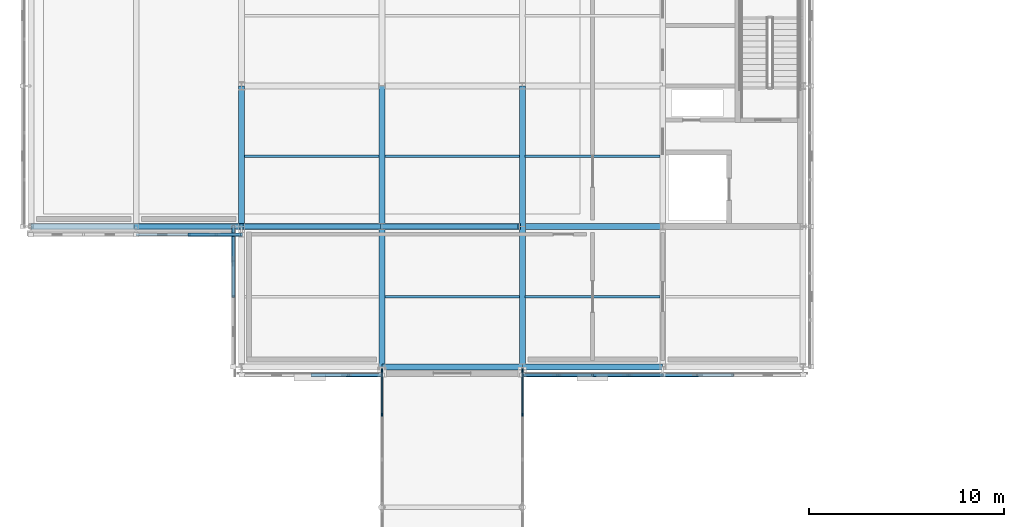
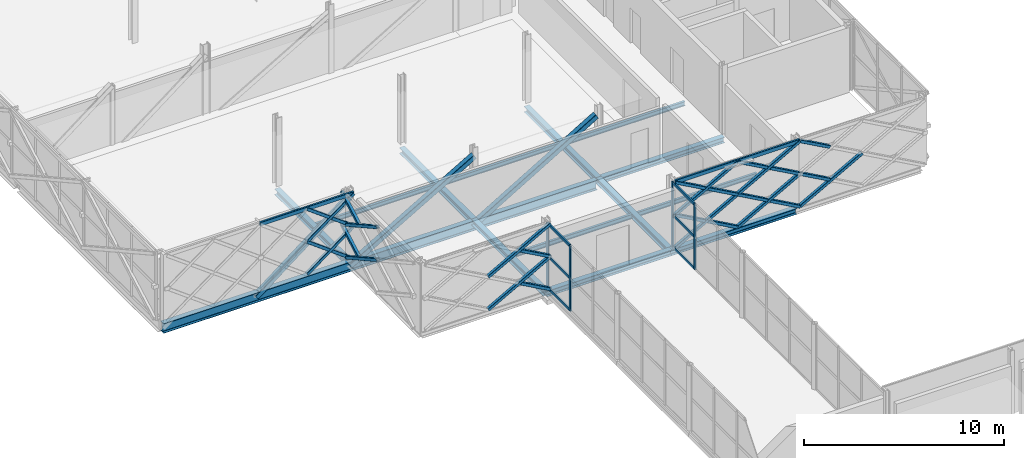
# One storey, part 29 of 126: 44 members, 14 beams, 2 elements without a shape of their own.
"""IFC4 building model written with IfcOpenShell, lengths in metres."""

from ifc_helpers import new_model, si_unit, direction, frame, origin, origin_2d, place, context, subcontext, project, spatial, rectangle, hollow_rectangle, i_section, extrude, material, material_profile, profile_set, type_object, element, aggregate, save


model = new_model("IFC4")

# Units and contexts
model_context = context("Model", 3, precision=1e-05, world=origin(), true_north=direction((0.0, 1.0)))
body_context = subcontext(model_context, "Body", "Model", "MODEL_VIEW")
ifc_project = project(units=[si_unit("LENGTHUNIT", "METRE"), si_unit("AREAUNIT", "SQUARE_METRE"), si_unit("VOLUMEUNIT", "CUBIC_METRE"), si_unit("PLANEANGLEUNIT", "RADIAN"), si_unit("MASSUNIT", "GRAM", prefix="KILO")], contexts=[model_context])

# Site, building, storey
site_placement = place(None, origin())
site = spatial("IfcSite", under=ifc_project, at=site_placement, CompositionType="ELEMENT")
building_placement = place(site_placement, origin())
building = spatial("IfcBuilding", under=site, at=building_placement, Name="Zlatovets Crest Museum", CompositionType="ELEMENT")
storey_placement = place(building_placement, frame((0.0, 0.0, 8.699951171875)))
storey = spatial("IfcBuildingStorey", under=building, at=storey_placement, Name="L02", CompositionType="ELEMENT", Elevation=8.699951171875)

# Beams
ifc_material_1 = material(Name="Structural steel S355J2", Category="steel")
ifc_material_profile_1 = material_profile(ifc_material_1, i_section(OverallWidth=0.300048828125, OverallDepth=0.35009765625, WebThickness=0.010009765625, FlangeThickness=0.017578125, FilletRadius=0.027099609375, at=origin_2d()), Name="HEA 360")
ifc_profile_set_1 = profile_set([ifc_material_profile_1], Name="Structural steel S355J2")
beam_type_1 = type_object("IfcBeamType", Name="Beam_B-03", PredefinedType="BEAM", material=ifc_profile_set_1)
beam_1_placement = place(storey_placement, frame((14.39990234375, 50.39990234375, -0.39501953125), z_axis=(1.0, 0.0, 0.0), x_axis=(0.0, 1.0, 0.0)))
element("IfcBeam", 1, at=beam_1_placement, inside=storey, type_object=beam_type_1, Name="V4 L02 Primary Girder B-03", PredefinedType="BEAM", context=body_context, shape_type="SweptSolid", body=[
    extrude(i_section(OverallWidth=0.300048828125, OverallDepth=0.35009765625, WebThickness=0.010009765625, FlangeThickness=0.017578125, FilletRadius=0.027099609375, at=origin_2d()), origin(), (0.0, 0.0, 1.0), 7.2001953125),
])
for number, where, z_axis, x_axis, name in (
    (2, (21.60009765625, 50.39990234375, -0.39501953125), (1.0, 0.0, 0.0), (0.0, 1.0, 0.0), "V4 L02 Primary Girder B-03"),
    (3, (21.60009765625, 57.60009765625, -0.39501953125), (1.0, 0.0, 0.0), (0.0, 1.0, 0.0), "V4 L02 Primary Girder B-03"),
    (4, (7.199951171875, 57.60009765625, -0.39501953125), (0.0, 1.0, 0.0), (-1.0, 0.0, 0.0), "V4 L02 Grid Beam B-03"),
):
    element("IfcBeam", number, at=place(storey_placement, frame(where, z_axis=z_axis, x_axis=x_axis)), inside=storey, type_object=beam_type_1, Name=name, PredefinedType="BEAM", context=body_context, shape_type="SweptSolid", body=[
        extrude(i_section(OverallWidth=0.300048828125, OverallDepth=0.35009765625, WebThickness=0.010009765625, FlangeThickness=0.017578125, FilletRadius=0.027099609375, at=origin_2d()), origin(), (0.0, 0.0, 1.0), 7.199951171875),
    ])
beam_2_placement = place(storey_placement, frame((14.39990234375, 50.39990234375, -0.39501953125), z_axis=(0.0, 1.0, 0.0), x_axis=(-1.0, 0.0, 0.0)))
element("IfcBeam", 5, at=beam_2_placement, inside=storey, type_object=beam_type_1, Name="V4 L02 Grid Beam B-03", PredefinedType="BEAM", context=body_context, shape_type="SweptSolid", body=[
    extrude(i_section(OverallWidth=0.300048828125, OverallDepth=0.35009765625, WebThickness=0.010009765625, FlangeThickness=0.017578125, FilletRadius=0.027099609375, at=origin_2d()), origin(), (0.0, 0.0, 1.0), 7.2001953125),
])
beam_3_placement = place(storey_placement, frame((14.39990234375, 57.60009765625, -0.39501953125), z_axis=(0.0, 1.0, 0.0), x_axis=(-1.0, 0.0, 0.0)))
element("IfcBeam", 6, at=beam_3_placement, inside=storey, type_object=beam_type_1, Name="V4 L02 Grid Beam B-03", PredefinedType="BEAM", context=body_context, shape_type="SweptSolid", body=[
    extrude(i_section(OverallWidth=0.300048828125, OverallDepth=0.35009765625, WebThickness=0.010009765625, FlangeThickness=0.017578125, FilletRadius=0.027099609375, at=origin_2d()), origin(), (0.0, 0.0, 1.0), 7.199951171875),
])
beam_4_placement = place(storey_placement, frame((21.60009765625, 50.39990234375, -0.39501953125), z_axis=(0.0, 1.0, 0.0), x_axis=(-1.0, 0.0, 0.0)))
element("IfcBeam", 7, at=beam_4_placement, inside=storey, type_object=beam_type_1, Name="V4 L02 Grid Beam B-03", PredefinedType="BEAM", context=body_context, shape_type="SweptSolid", body=[
    extrude(i_section(OverallWidth=0.300048828125, OverallDepth=0.35009765625, WebThickness=0.010009765625, FlangeThickness=0.017578125, FilletRadius=0.027099609375, at=origin_2d()), origin(), (0.0, 0.0, 1.0), 7.2001953125),
])
beam_5_placement = place(storey_placement, frame((21.60009765625, 57.60009765625, -0.39501953125), z_axis=(0.0, 1.0, 0.0), x_axis=(-1.0, 0.0, 0.0)))
element("IfcBeam", 8, at=beam_5_placement, inside=storey, type_object=beam_type_1, Name="V4 L02 Grid Beam B-03", PredefinedType="BEAM", context=body_context, shape_type="SweptSolid", body=[
    extrude(i_section(OverallWidth=0.300048828125, OverallDepth=0.35009765625, WebThickness=0.010009765625, FlangeThickness=0.017578125, FilletRadius=0.027099609375, at=origin_2d()), origin(), (0.0, 0.0, 1.0), 7.199951171875),
])
ifc_material_profile_2 = material_profile(ifc_material_1, i_section(OverallWidth=0.300048828125, OverallDepth=0.590087890625, WebThickness=0.012939453125, FlangeThickness=0.02490234375, FilletRadius=0.027099609375, at=origin_2d()), Name="HEA 600")
ifc_profile_set_2 = profile_set([ifc_material_profile_2], Name="Structural steel S355J2")
beam_type_2 = type_object("IfcBeamType", Name="Beam_B-07", PredefinedType="BEAM", material=ifc_profile_set_2)
beam_6_placement = place(storey_placement, frame((-3.60009765625, 57.60009765625, -0.570068359375), z_axis=(1.0, 0.0, 0.0), x_axis=(0.0, 1.0, 0.0)))
element("IfcBeam", 9, at=beam_6_placement, inside=storey, type_object=beam_type_2, Name="Cantilever Transfer Truss TT-1 L02 Bottom Chord", PredefinedType="BEAM", context=body_context, shape_type="SweptSolid", body=[
    extrude(i_section(OverallWidth=0.300048828125, OverallDepth=0.590087890625, WebThickness=0.012939453125, FlangeThickness=0.02490234375, FilletRadius=0.027099609375, at=origin_2d()), origin(), (0.0, 0.0, 1.0), 25.0400390625),
])
ifc_material_profile_3 = material_profile(ifc_material_1, i_section(OverallWidth=0.135009765625, OverallDepth=0.27001953125, WebThickness=0.006591796875, FlangeThickness=0.01025390625, FilletRadius=0.014892578125, at=origin_2d()), Name="IPE 270")
ifc_profile_set_3 = profile_set([ifc_material_profile_3], Name="Structural steel S355J2")
beam_type_3 = type_object("IfcBeamType", Name="Beam_J-03", PredefinedType="JOIST", material=ifc_profile_set_3)
for number, where, z_axis, x_axis, name in (
    (10, (7.35009765625, 61.199951171875, -0.35498046875), (1.0, 0.0, 0.0), (0.0, 1.0, 0.0), "V4 L02 Composite Joist J-03"),
    (11, (14.550048828125, 54.0, -0.35498046875), (1.0, 0.0, 0.0), (0.0, 1.0, 0.0), "V4 L02 Composite Joist J-03"),
    (12, (14.550048828125, 61.199951171875, -0.35498046875), (1.0, 0.0, 0.0), (0.0, 1.0, 0.0), "V4 L02 Composite Joist J-03"),
    (13, (21.75, 54.0, -0.35498046875), (1.0, 0.0, 0.0), (0.0, 1.0, 0.0), "V4 L02 Composite Joist J-03"),
    (14, (21.75, 61.199951171875, -0.35498046875), (1.0, 0.0, 0.0), (0.0, 1.0, 0.0), "V4 L02 Composite Joist J-03"),
):
    element("IfcBeam", number, at=place(storey_placement, frame(where, z_axis=z_axis, x_axis=x_axis)), inside=storey, type_object=beam_type_3, Name=name, PredefinedType="JOIST", context=body_context, shape_type="SweptSolid", body=[
        extrude(i_section(OverallWidth=0.135009765625, OverallDepth=0.27001953125, WebThickness=0.006591796875, FlangeThickness=0.01025390625, FilletRadius=0.014892578125, at=origin_2d()), origin(), (0.0, 0.0, 1.0), 6.89990234375),
    ])

# Curtain wall, members
ifc_material_2 = material(Name="Bronze-anodised aluminium and low-E triple glass", Category="aluminium")
curtain_wall_type = type_object("IfcCurtainWallType", Name="CW_CW-BR2-L02-S69", PredefinedType="NOTDEFINED", material=ifc_material_2)
curtain_wall_1_placement = place(storey_placement, origin())
curtain_wall_1 = element("IfcCurtainWall", 15, at=curtain_wall_1_placement, inside=storey, type_object=curtain_wall_type, Name="West Hillside Glazed Link Bridge L02 Glazed Bridge Curtain Wall", PredefinedType="NOTDEFINED")
ifc_material_3 = material(Name="Bronze-anodised aluminium EN AW-6060", Category="aluminium")
ifc_material_profile_4 = material_profile(ifc_material_3, rectangle(XDim=0.080078125, YDim=0.159912109375, at=origin_2d()), Name="ALU 80x160")
ifc_profile_set_4 = profile_set([ifc_material_profile_4], Name="Bronze-anodised aluminium EN AW-6060")
member_type_1 = type_object("IfcMemberType", Name="CWMull_M1", PredefinedType="MULLION", material=ifc_profile_set_4)
member_1_placement = place(storey_placement, frame((14.39990234375, 47.949951171875, 0.0), z_axis=(0.0, 0.0, 1.0), x_axis=(-1.0, 0.0, 0.0)))
member_1 = element("IfcMember", 16, at=member_1_placement, type_object=member_type_1, Name="CW-BR2-L02-S69 mullion 3", PredefinedType="MULLION", context=body_context, shape_type="SweptSolid", body=[
    extrude(rectangle(XDim=0.080078125, YDim=0.159912109375, at=origin_2d()), origin(), (0.0, 0.0, 1.0), 3.97998046875),
])
member_2_placement = place(storey_placement, frame((14.39990234375, 50.219970703125, 0.0), z_axis=(0.0, 0.0, 1.0), x_axis=(-1.0, 0.0, 0.0)))
member_2 = element("IfcMember", 17, at=member_2_placement, type_object=member_type_1, Name="CW-BR2-L02-S69 mullion 4", PredefinedType="MULLION", context=body_context, shape_type="SweptSolid", body=[
    extrude(rectangle(XDim=0.080078125, YDim=0.159912109375, at=origin_2d()), origin(), (0.0, 0.0, 1.0), 3.97998046875),
])

curtain_wall_2_placement = place(storey_placement, origin())
curtain_wall_2 = element("IfcCurtainWall", 18, at=curtain_wall_2_placement, inside=storey, type_object=curtain_wall_type, Name="West Hillside Glazed Link Bridge L02 Glazed Bridge Curtain Wall", PredefinedType="NOTDEFINED")
member_3_placement = place(storey_placement, frame((21.60009765625, 47.949951171875, 0.0), z_axis=(0.0, 0.0, 1.0), x_axis=(-1.0, 0.0, 0.0)))
member_3 = element("IfcMember", 19, at=member_3_placement, type_object=member_type_1, Name="CW-BR2-L02-S69 mullion 3", PredefinedType="MULLION", context=body_context, shape_type="SweptSolid", body=[
    extrude(rectangle(XDim=0.080078125, YDim=0.159912109375, at=origin_2d()), origin(), (0.0, 0.0, 1.0), 3.97998046875),
])
member_4_placement = place(storey_placement, frame((21.60009765625, 50.219970703125, 0.0), z_axis=(0.0, 0.0, 1.0), x_axis=(-1.0, 0.0, 0.0)))
member_4 = element("IfcMember", 20, at=member_4_placement, type_object=member_type_1, Name="CW-BR2-L02-S69 mullion 4", PredefinedType="MULLION", context=body_context, shape_type="SweptSolid", body=[
    extrude(rectangle(XDim=0.080078125, YDim=0.159912109375, at=origin_2d()), origin(), (0.0, 0.0, 1.0), 3.97998046875),
])

# Member
ifc_material_profile_5 = material_profile(ifc_material_3, rectangle(XDim=0.080078125, YDim=0.159912109375, at=origin_2d()), Name="ALU 80x160")
ifc_profile_set_5 = profile_set([ifc_material_profile_5], Name="Bronze-anodised aluminium EN AW-6060")
member_type_2 = type_object("IfcMemberType", Name="CWTrans_T1", PredefinedType="USERDEFINED", material=ifc_profile_set_5)
member_5_placement = place(storey_placement, frame((14.39990234375, 47.97998046875, 0.030029296875), z_axis=(0.0, 1.0, 0.0), x_axis=(-1.0, 0.0, 0.0)))
member_5 = element("IfcMember", 21, at=member_5_placement, type_object=member_type_2, Name="CW-BR2-L02-S69 transom 3.1", ObjectType="TRANSOM", PredefinedType="USERDEFINED", context=body_context, shape_type="SweptSolid", body=[
    extrude(rectangle(XDim=0.080078125, YDim=0.159912109375, at=origin_2d()), origin(), (0.0, 0.0, 1.0), 2.2099609375),
])

member_6_placement = place(storey_placement, frame((14.39990234375, 47.97998046875, 1.989990234375), z_axis=(0.0, 1.0, 0.0), x_axis=(-1.0, 0.0, 0.0)))
member_6 = element("IfcMember", 22, at=member_6_placement, type_object=member_type_2, Name="CW-BR2-L02-S69 transom 3.2", ObjectType="TRANSOM", PredefinedType="USERDEFINED", context=body_context, shape_type="SweptSolid", body=[
    extrude(rectangle(XDim=0.080078125, YDim=0.159912109375, at=origin_2d()), origin(), (0.0, 0.0, 1.0), 2.2099609375),
])

member_7_placement = place(storey_placement, frame((14.39990234375, 47.97998046875, 3.949951171875), z_axis=(0.0, 1.0, 0.0), x_axis=(-1.0, 0.0, 0.0)))
member_7 = element("IfcMember", 23, at=member_7_placement, type_object=member_type_2, Name="CW-BR2-L02-S69 transom 3.3", ObjectType="TRANSOM", PredefinedType="USERDEFINED", context=body_context, shape_type="SweptSolid", body=[
    extrude(rectangle(XDim=0.080078125, YDim=0.159912109375, at=origin_2d()), origin(), (0.0, 0.0, 1.0), 2.2099609375),
])

aggregate(curtain_wall_1, [member_1, member_2, member_5, member_6, member_7])

member_8_placement = place(storey_placement, frame((21.60009765625, 47.97998046875, 0.030029296875), z_axis=(0.0, 1.0, 0.0), x_axis=(-1.0, 0.0, 0.0)))
member_8 = element("IfcMember", 24, at=member_8_placement, type_object=member_type_2, Name="CW-BR2-L02-S69 transom 3.1", ObjectType="TRANSOM", PredefinedType="USERDEFINED", context=body_context, shape_type="SweptSolid", body=[
    extrude(rectangle(XDim=0.080078125, YDim=0.159912109375, at=origin_2d()), origin(), (0.0, 0.0, 1.0), 2.2099609375),
])

member_9_placement = place(storey_placement, frame((21.60009765625, 47.97998046875, 1.989990234375), z_axis=(0.0, 1.0, 0.0), x_axis=(-1.0, 0.0, 0.0)))
member_9 = element("IfcMember", 25, at=member_9_placement, type_object=member_type_2, Name="CW-BR2-L02-S69 transom 3.2", ObjectType="TRANSOM", PredefinedType="USERDEFINED", context=body_context, shape_type="SweptSolid", body=[
    extrude(rectangle(XDim=0.080078125, YDim=0.159912109375, at=origin_2d()), origin(), (0.0, 0.0, 1.0), 2.2099609375),
])

member_10_placement = place(storey_placement, frame((21.60009765625, 47.97998046875, 3.949951171875), z_axis=(0.0, 1.0, 0.0), x_axis=(-1.0, 0.0, 0.0)))
member_10 = element("IfcMember", 26, at=member_10_placement, type_object=member_type_2, Name="CW-BR2-L02-S69 transom 3.3", ObjectType="TRANSOM", PredefinedType="USERDEFINED", context=body_context, shape_type="SweptSolid", body=[
    extrude(rectangle(XDim=0.080078125, YDim=0.159912109375, at=origin_2d()), origin(), (0.0, 0.0, 1.0), 2.2099609375),
])

aggregate(curtain_wall_2, [member_3, member_4, member_8, member_9, member_10])

# Members
ifc_material_4 = material(Name="Weathering bronze-steel S355J2W", Category="steel")
ifc_material_profile_6 = material_profile(ifc_material_4, hollow_rectangle(XDim=0.179931640625, YDim=0.179931640625, WallThickness=0.010009765625, InnerFilletRadius=0.010009765625, OuterFilletRadius=0.02001953125, at=origin_2d()), Name="SHS 180x180x10.0")
ifc_profile_set_6 = profile_set([ifc_material_profile_6], Name="Weathering bronze-steel S355J2W")
member_type_3 = type_object("IfcMemberType", Name="Lattice_XL-01", PredefinedType="BRACE", material=ifc_profile_set_6)
member_11_placement = place(storey_placement, frame((10.800048828125, 49.97998046875, 0.10009765625), z_axis=(0.874148886685, 0.0, 0.485658031857), x_axis=(0.0, 1.0, 0.0)))
element("IfcMember", 27, at=member_11_placement, inside=storey, type_object=member_type_3, Name="Continuous Bronze Lattice Diagonal", PredefinedType="BRACE", context=body_context, shape_type="SweptSolid", body=[
    extrude(hollow_rectangle(XDim=0.179931640625, YDim=0.179931640625, WallThickness=0.010009765625, InnerFilletRadius=0.010009765625, OuterFilletRadius=0.02001953125, at=origin_2d()), origin(), (0.0, 0.0, 1.0), 4.1181640625),
])
member_12_placement = place(storey_placement, frame((12.68310546875, 49.97998046875, 1.053955078125), z_axis=(0.874139684676, 0.0, -0.48567459443), x_axis=(0.0, 1.0, 0.0)))
element("IfcMember", 28, at=member_12_placement, inside=storey, type_object=member_type_3, Name="Split Crossing Bronze Lattice Diagonal Lower", PredefinedType="BRACE", context=body_context, shape_type="SweptSolid", body=[
    extrude(hollow_rectangle(XDim=0.179931640625, YDim=0.179931640625, WallThickness=0.010009765625, InnerFilletRadius=0.010009765625, OuterFilletRadius=0.02001953125, at=origin_2d()), origin(), (0.0, 0.0, 1.0), 1.9638671875),
])
member_13_placement = place(storey_placement, frame((10.800048828125, 49.97998046875, 2.10009765625), z_axis=(0.874148886685, 0.0, 0.485658031857), x_axis=(0.0, 1.0, 0.0)))
element("IfcMember", 29, at=member_13_placement, inside=storey, type_object=member_type_3, Name="Continuous Bronze Lattice Diagonal", PredefinedType="BRACE", context=body_context, shape_type="SweptSolid", body=[
    extrude(hollow_rectangle(XDim=0.179931640625, YDim=0.179931640625, WallThickness=0.010009765625, InnerFilletRadius=0.010009765625, OuterFilletRadius=0.02001953125, at=origin_2d()), origin(), (0.0, 0.0, 1.0), 4.1181640625),
])
member_14_placement = place(storey_placement, frame((12.68310546875, 49.97998046875, 3.053955078125), z_axis=(0.874139684676, 0.0, -0.48567459443), x_axis=(0.0, 1.0, 0.0)))
element("IfcMember", 30, at=member_14_placement, inside=storey, type_object=member_type_3, Name="Split Crossing Bronze Lattice Diagonal Lower", PredefinedType="BRACE", context=body_context, shape_type="SweptSolid", body=[
    extrude(hollow_rectangle(XDim=0.179931640625, YDim=0.179931640625, WallThickness=0.010009765625, InnerFilletRadius=0.010009765625, OuterFilletRadius=0.02001953125, at=origin_2d()), origin(), (0.0, 0.0, 1.0), 1.9638671875),
])
member_15_placement = place(storey_placement, frame((21.60009765625, 49.97998046875, 0.10009765625), z_axis=(0.874148886685, 0.0, 0.485658031857), x_axis=(0.0, 1.0, 0.0)))
element("IfcMember", 31, at=member_15_placement, inside=storey, type_object=member_type_3, Name="Continuous Bronze Lattice Diagonal", PredefinedType="BRACE", context=body_context, shape_type="SweptSolid", body=[
    extrude(hollow_rectangle(XDim=0.179931640625, YDim=0.179931640625, WallThickness=0.010009765625, InnerFilletRadius=0.010009765625, OuterFilletRadius=0.02001953125, at=origin_2d()), origin(), (0.0, 0.0, 1.0), 4.1181640625),
])
member_16_placement = place(storey_placement, frame((21.60009765625, 49.97998046875, 2.10009765625), z_axis=(0.874139684676, 0.0, -0.48567459443), x_axis=(0.0, 1.0, 0.0)))
element("IfcMember", 32, at=member_16_placement, inside=storey, type_object=member_type_3, Name="Split Crossing Bronze Lattice Diagonal Upper", PredefinedType="BRACE", context=body_context, shape_type="SweptSolid", body=[
    extrude(hollow_rectangle(XDim=0.179931640625, YDim=0.179931640625, WallThickness=0.010009765625, InnerFilletRadius=0.010009765625, OuterFilletRadius=0.02001953125, at=origin_2d()), origin(), (0.0, 0.0, 1.0), 1.9638671875),
])
member_17_placement = place(storey_placement, frame((23.48291015625, 49.97998046875, 1.053955078125), z_axis=(0.874169001841, 0.0, -0.485621824284), x_axis=(0.0, 1.0, 0.0)))
element("IfcMember", 33, at=member_17_placement, inside=storey, type_object=member_type_3, Name="Split Crossing Bronze Lattice Diagonal Lower", PredefinedType="BRACE", context=body_context, shape_type="SweptSolid", body=[
    extrude(hollow_rectangle(XDim=0.179931640625, YDim=0.179931640625, WallThickness=0.010009765625, InnerFilletRadius=0.010009765625, OuterFilletRadius=0.02001953125, at=origin_2d()), origin(), (0.0, 0.0, 1.0), 1.964111328125),
])
member_18_placement = place(storey_placement, frame((25.199951171875, 49.97998046875, 0.10009765625), z_axis=(0.874162868644, 0.0, 0.485632864501), x_axis=(0.0, 1.0, 0.0)))
element("IfcMember", 34, at=member_18_placement, inside=storey, type_object=member_type_3, Name="Continuous Bronze Lattice Diagonal", PredefinedType="BRACE", context=body_context, shape_type="SweptSolid", body=[
    extrude(hollow_rectangle(XDim=0.179931640625, YDim=0.179931640625, WallThickness=0.010009765625, InnerFilletRadius=0.010009765625, OuterFilletRadius=0.02001953125, at=origin_2d()), origin(), (0.0, 0.0, 1.0), 4.118408203125),
])
for number, where, z_axis, x_axis, name in (
    (35, (25.199951171875, 49.97998046875, 2.10009765625), (0.874169001841, 0.0, -0.485621824284), (0.0, 1.0, 0.0), "Split Crossing Bronze Lattice Diagonal Upper"),
    (36, (27.0830078125, 49.97998046875, 1.053955078125), (0.874169001841, 0.0, -0.485621824284), (0.0, 1.0, 0.0), "Split Crossing Bronze Lattice Diagonal Lower"),
):
    element("IfcMember", number, at=place(storey_placement, frame(where, z_axis=z_axis, x_axis=x_axis)), inside=storey, type_object=member_type_3, Name=name, PredefinedType="BRACE", context=body_context, shape_type="SweptSolid", body=[
        extrude(hollow_rectangle(XDim=0.179931640625, YDim=0.179931640625, WallThickness=0.010009765625, InnerFilletRadius=0.010009765625, OuterFilletRadius=0.02001953125, at=origin_2d()), origin(), (0.0, 0.0, 1.0), 1.964111328125),
    ])
member_19_placement = place(storey_placement, frame((21.60009765625, 49.97998046875, 2.10009765625), z_axis=(0.874148886685, 0.0, 0.485658031857), x_axis=(0.0, 1.0, 0.0)))
element("IfcMember", 37, at=member_19_placement, inside=storey, type_object=member_type_3, Name="Continuous Bronze Lattice Diagonal", PredefinedType="BRACE", context=body_context, shape_type="SweptSolid", body=[
    extrude(hollow_rectangle(XDim=0.179931640625, YDim=0.179931640625, WallThickness=0.010009765625, InnerFilletRadius=0.010009765625, OuterFilletRadius=0.02001953125, at=origin_2d()), origin(), (0.0, 0.0, 1.0), 4.1181640625),
])
member_20_placement = place(storey_placement, frame((21.60009765625, 49.97998046875, 4.10009765625), z_axis=(0.874139684676, 0.0, -0.48567459443), x_axis=(0.0, 1.0, 0.0)))
element("IfcMember", 38, at=member_20_placement, inside=storey, type_object=member_type_3, Name="Split Crossing Bronze Lattice Diagonal Upper", PredefinedType="BRACE", context=body_context, shape_type="SweptSolid", body=[
    extrude(hollow_rectangle(XDim=0.179931640625, YDim=0.179931640625, WallThickness=0.010009765625, InnerFilletRadius=0.010009765625, OuterFilletRadius=0.02001953125, at=origin_2d()), origin(), (0.0, 0.0, 1.0), 1.9638671875),
])
member_21_placement = place(storey_placement, frame((23.48291015625, 49.97998046875, 3.053955078125), z_axis=(0.874169001841, 0.0, -0.485621824284), x_axis=(0.0, 1.0, 0.0)))
element("IfcMember", 39, at=member_21_placement, inside=storey, type_object=member_type_3, Name="Split Crossing Bronze Lattice Diagonal Lower", PredefinedType="BRACE", context=body_context, shape_type="SweptSolid", body=[
    extrude(hollow_rectangle(XDim=0.179931640625, YDim=0.179931640625, WallThickness=0.010009765625, InnerFilletRadius=0.010009765625, OuterFilletRadius=0.02001953125, at=origin_2d()), origin(), (0.0, 0.0, 1.0), 1.964111328125),
])
member_22_placement = place(storey_placement, frame((25.199951171875, 49.97998046875, 2.10009765625), z_axis=(0.874162868644, 0.0, 0.485632864501), x_axis=(0.0, 1.0, 0.0)))
element("IfcMember", 40, at=member_22_placement, inside=storey, type_object=member_type_3, Name="Continuous Bronze Lattice Diagonal", PredefinedType="BRACE", context=body_context, shape_type="SweptSolid", body=[
    extrude(hollow_rectangle(XDim=0.179931640625, YDim=0.179931640625, WallThickness=0.010009765625, InnerFilletRadius=0.010009765625, OuterFilletRadius=0.02001953125, at=origin_2d()), origin(), (0.0, 0.0, 1.0), 4.118408203125),
])
for number, where, z_axis, x_axis, name in (
    (41, (25.199951171875, 49.97998046875, 4.10009765625), (0.874169001841, 0.0, -0.485621824284), (0.0, 1.0, 0.0), "Split Crossing Bronze Lattice Diagonal Upper"),
    (42, (27.0830078125, 49.97998046875, 3.053955078125), (0.874169001841, 0.0, -0.485621824284), (0.0, 1.0, 0.0), "Split Crossing Bronze Lattice Diagonal Lower"),
):
    element("IfcMember", number, at=place(storey_placement, frame(where, z_axis=z_axis, x_axis=x_axis)), inside=storey, type_object=member_type_3, Name=name, PredefinedType="BRACE", context=body_context, shape_type="SweptSolid", body=[
        extrude(hollow_rectangle(XDim=0.179931640625, YDim=0.179931640625, WallThickness=0.010009765625, InnerFilletRadius=0.010009765625, OuterFilletRadius=0.02001953125, at=origin_2d()), origin(), (0.0, 0.0, 1.0), 1.964111328125),
    ])
member_23_placement = place(storey_placement, frame((28.800048828125, 49.97998046875, 0.10009765625), z_axis=(0.874148886685, 0.0, 0.485658031857), x_axis=(0.0, 1.0, 0.0)))
element("IfcMember", 43, at=member_23_placement, inside=storey, type_object=member_type_3, Name="Continuous Bronze Lattice Diagonal", PredefinedType="BRACE", context=body_context, shape_type="SweptSolid", body=[
    extrude(hollow_rectangle(XDim=0.179931640625, YDim=0.179931640625, WallThickness=0.010009765625, InnerFilletRadius=0.010009765625, OuterFilletRadius=0.02001953125, at=origin_2d()), origin(), (0.0, 0.0, 1.0), 4.1181640625),
])
for number, where, z_axis, x_axis, name in (
    (44, (28.800048828125, 49.97998046875, 2.10009765625), (0.874169001841, 0.0, -0.485621824284), (0.0, 1.0, 0.0), "Split Crossing Bronze Lattice Diagonal Upper"),
    (45, (28.800048828125, 49.97998046875, 4.10009765625), (0.874169001841, 0.0, -0.485621824284), (0.0, 1.0, 0.0), "Split Crossing Bronze Lattice Diagonal Upper"),
):
    element("IfcMember", number, at=place(storey_placement, frame(where, z_axis=z_axis, x_axis=x_axis)), inside=storey, type_object=member_type_3, Name=name, PredefinedType="BRACE", context=body_context, shape_type="SweptSolid", body=[
        extrude(hollow_rectangle(XDim=0.179931640625, YDim=0.179931640625, WallThickness=0.010009765625, InnerFilletRadius=0.010009765625, OuterFilletRadius=0.02001953125, at=origin_2d()), origin(), (0.0, 0.0, 1.0), 1.964111328125),
    ])
member_24_placement = place(storey_placement, frame((4.5, 57.179931640625, 0.10009765625), z_axis=(0.803552044655, 0.0, 0.595234501294), x_axis=(0.0, 1.0, 0.0)))
element("IfcMember", 46, at=member_24_placement, inside=storey, type_object=member_type_3, Name="Continuous Bronze Lattice Diagonal", PredefinedType="BRACE", context=body_context, shape_type="SweptSolid", body=[
    extrude(hollow_rectangle(XDim=0.179931640625, YDim=0.179931640625, WallThickness=0.010009765625, InnerFilletRadius=0.010009765625, OuterFilletRadius=0.02001953125, at=origin_2d()), origin(), (0.0, 0.0, 1.0), 3.360107421875),
])
member_25_placement = place(storey_placement, frame((4.5, 57.179931640625, 2.10009765625), z_axis=(0.803516265271, 0.0, -0.595282799554), x_axis=(0.0, 1.0, 0.0)))
element("IfcMember", 47, at=member_25_placement, inside=storey, type_object=member_type_3, Name="Split Crossing Bronze Lattice Diagonal Upper", PredefinedType="BRACE", context=body_context, shape_type="SweptSolid", body=[
    extrude(hollow_rectangle(XDim=0.179931640625, YDim=0.179931640625, WallThickness=0.010009765625, InnerFilletRadius=0.010009765625, OuterFilletRadius=0.02001953125, at=origin_2d()), origin(), (0.0, 0.0, 1.0), 1.585205078125),
])
member_26_placement = place(storey_placement, frame((5.92626953125, 57.179931640625, 1.04345703125), z_axis=(0.80358993607, 0.0, -0.595183345404), x_axis=(0.0, 1.0, 0.0)))
element("IfcMember", 48, at=member_26_placement, inside=storey, type_object=member_type_3, Name="Split Crossing Bronze Lattice Diagonal Lower", PredefinedType="BRACE", context=body_context, shape_type="SweptSolid", body=[
    extrude(hollow_rectangle(XDim=0.179931640625, YDim=0.179931640625, WallThickness=0.010009765625, InnerFilletRadius=0.010009765625, OuterFilletRadius=0.02001953125, at=origin_2d()), origin(), (0.0, 0.0, 1.0), 1.5849609375),
])
member_27_placement = place(storey_placement, frame((4.5, 57.179931640625, 2.10009765625), z_axis=(0.803552044655, 0.0, 0.595234501294), x_axis=(0.0, 1.0, 0.0)))
element("IfcMember", 49, at=member_27_placement, inside=storey, type_object=member_type_3, Name="Continuous Bronze Lattice Diagonal", PredefinedType="BRACE", context=body_context, shape_type="SweptSolid", body=[
    extrude(hollow_rectangle(XDim=0.179931640625, YDim=0.179931640625, WallThickness=0.010009765625, InnerFilletRadius=0.010009765625, OuterFilletRadius=0.02001953125, at=origin_2d()), origin(), (0.0, 0.0, 1.0), 3.360107421875),
])
member_28_placement = place(storey_placement, frame((4.5, 57.179931640625, 4.10009765625), z_axis=(0.803516265271, 0.0, -0.595282799554), x_axis=(0.0, 1.0, 0.0)))
element("IfcMember", 50, at=member_28_placement, inside=storey, type_object=member_type_3, Name="Split Crossing Bronze Lattice Diagonal Upper", PredefinedType="BRACE", context=body_context, shape_type="SweptSolid", body=[
    extrude(hollow_rectangle(XDim=0.179931640625, YDim=0.179931640625, WallThickness=0.010009765625, InnerFilletRadius=0.010009765625, OuterFilletRadius=0.02001953125, at=origin_2d()), origin(), (0.0, 0.0, 1.0), 1.585205078125),
])
member_29_placement = place(storey_placement, frame((5.92626953125, 57.179931640625, 3.04345703125), z_axis=(0.80358993607, 0.0, -0.595183345404), x_axis=(0.0, 1.0, 0.0)))
element("IfcMember", 51, at=member_29_placement, inside=storey, type_object=member_type_3, Name="Split Crossing Bronze Lattice Diagonal Lower", PredefinedType="BRACE", context=body_context, shape_type="SweptSolid", body=[
    extrude(hollow_rectangle(XDim=0.179931640625, YDim=0.179931640625, WallThickness=0.010009765625, InnerFilletRadius=0.010009765625, OuterFilletRadius=0.02001953125, at=origin_2d()), origin(), (0.0, 0.0, 1.0), 1.5849609375),
])
member_30_placement = place(storey_placement, frame((6.780029296875, 57.60009765625, 0.10009765625), z_axis=(0.0, -0.874162868644, 0.485632864501), x_axis=(1.0, 0.0, 0.0)))
element("IfcMember", 52, at=member_30_placement, inside=storey, type_object=member_type_3, Name="Continuous Bronze Lattice Diagonal", PredefinedType="BRACE", context=body_context, shape_type="SweptSolid", body=[
    extrude(hollow_rectangle(XDim=0.179931640625, YDim=0.179931640625, WallThickness=0.010009765625, InnerFilletRadius=0.010009765625, OuterFilletRadius=0.02001953125, at=origin_2d()), origin(), (0.0, 0.0, 1.0), 4.118408203125),
])
member_31_placement = place(storey_placement, frame((6.780029296875, 57.60009765625, 2.10009765625), z_axis=(0.0, -0.874169001841, -0.485621824284), x_axis=(1.0, 0.0, 0.0)))
element("IfcMember", 53, at=member_31_placement, inside=storey, type_object=member_type_3, Name="Split Crossing Bronze Lattice Diagonal Upper", PredefinedType="BRACE", context=body_context, shape_type="SweptSolid", body=[
    extrude(hollow_rectangle(XDim=0.179931640625, YDim=0.179931640625, WallThickness=0.010009765625, InnerFilletRadius=0.010009765625, OuterFilletRadius=0.02001953125, at=origin_2d()), origin(), (0.0, 0.0, 1.0), 1.964111328125),
])
member_32_placement = place(storey_placement, frame((6.780029296875, 57.60009765625, 2.10009765625), z_axis=(0.0, -0.874162868644, 0.485632864501), x_axis=(1.0, 0.0, 0.0)))
element("IfcMember", 54, at=member_32_placement, inside=storey, type_object=member_type_3, Name="Continuous Bronze Lattice Diagonal", PredefinedType="BRACE", context=body_context, shape_type="SweptSolid", body=[
    extrude(hollow_rectangle(XDim=0.179931640625, YDim=0.179931640625, WallThickness=0.010009765625, InnerFilletRadius=0.010009765625, OuterFilletRadius=0.02001953125, at=origin_2d()), origin(), (0.0, 0.0, 1.0), 4.118408203125),
])
member_33_placement = place(storey_placement, frame((6.780029296875, 57.60009765625, 4.10009765625), z_axis=(0.0, -0.874169001841, -0.485621824284), x_axis=(1.0, 0.0, 0.0)))
element("IfcMember", 55, at=member_33_placement, inside=storey, type_object=member_type_3, Name="Split Crossing Bronze Lattice Diagonal Upper", PredefinedType="BRACE", context=body_context, shape_type="SweptSolid", body=[
    extrude(hollow_rectangle(XDim=0.179931640625, YDim=0.179931640625, WallThickness=0.010009765625, InnerFilletRadius=0.010009765625, OuterFilletRadius=0.02001953125, at=origin_2d()), origin(), (0.0, 0.0, 1.0), 1.964111328125),
])
ifc_material_profile_7 = material_profile(ifc_material_4, hollow_rectangle(XDim=0.1201171875, YDim=0.239990234375, WallThickness=0.010009765625, InnerFilletRadius=0.010009765625, OuterFilletRadius=0.02001953125, at=origin_2d()), Name="RHS 120x240x10.0")
ifc_profile_set_7 = profile_set([ifc_material_profile_7], Name="Weathering bronze-steel S355J2W")
member_type_4 = type_object("IfcMemberType", Name="Lattice_XL-04", PredefinedType="CHORD", material=ifc_profile_set_7)
member_34_placement = place(storey_placement, frame((21.60009765625, 49.97998046875, 4.10009765625), z_axis=(1.0, 0.0, 0.0), x_axis=(0.0, 1.0, 0.0)))
element("IfcMember", 56, at=member_34_placement, inside=storey, type_object=member_type_4, Name="Art Nouveau Woven Cage Collector Ring Chord", PredefinedType="CHORD", context=body_context, shape_type="SweptSolid", body=[
    extrude(hollow_rectangle(XDim=0.1201171875, YDim=0.239990234375, WallThickness=0.010009765625, InnerFilletRadius=0.010009765625, OuterFilletRadius=0.02001953125, at=origin_2d()), origin(), (0.0, 0.0, 1.0), 7.199951171875),
])
member_35_placement = place(storey_placement, frame((1.800048828125, 57.179931640625, 4.10009765625), z_axis=(1.0, 0.0, 0.0), x_axis=(0.0, 1.0, 0.0)))
element("IfcMember", 57, at=member_35_placement, inside=storey, type_object=member_type_4, Name="Art Nouveau Woven Cage Collector Ring Chord", PredefinedType="CHORD", context=body_context, shape_type="SweptSolid", body=[
    extrude(hollow_rectangle(XDim=0.1201171875, YDim=0.239990234375, WallThickness=0.010009765625, InnerFilletRadius=0.010009765625, OuterFilletRadius=0.02001953125, at=origin_2d()), origin(), (0.0, 0.0, 1.0), 5.39990234375),
])
ifc_material_profile_8 = material_profile(ifc_material_1, hollow_rectangle(XDim=0.300048828125, YDim=0.300048828125, WallThickness=0.01611328125, InnerFilletRadius=0.01611328125, OuterFilletRadius=0.031982421875, at=origin_2d()), Name="SHS 300x300x16.0")
ifc_profile_set_8 = profile_set([ifc_material_profile_8], Name="Structural steel S355J2")
member_type_5 = type_object("IfcMemberType", Name="Member_TM-08", PredefinedType="BRACE", material=ifc_profile_set_8)
member_36_placement = place(storey_placement, frame((1.800048828125, 57.60009765625, -0.570068359375), z_axis=(0.790751619477, 0.0, 0.61213713847), x_axis=(0.0, 1.0, 0.0)))
element("IfcMember", 58, at=member_36_placement, inside=storey, type_object=member_type_5, Name="Transfer Truss TT-1 Lower Web Diagonal", PredefinedType="BRACE", context=body_context, shape_type="SweptSolid", body=[
    extrude(hollow_rectangle(XDim=0.300048828125, YDim=0.300048828125, WallThickness=0.01611328125, InnerFilletRadius=0.01611328125, OuterFilletRadius=0.031982421875, at=origin_2d()), origin(), (0.0, 0.0, 1.0), 6.828857421875),
])
member_37_placement = place(storey_placement, frame((7.199951171875, 57.60009765625, -0.570068359375), z_axis=(0.864811948973, 0.0, 0.502095900116), x_axis=(0.0, 1.0, 0.0)))
element("IfcMember", 59, at=member_37_placement, inside=storey, type_object=member_type_5, Name="Transfer Truss TT-1 Lower Web Diagonal", PredefinedType="BRACE", context=body_context, shape_type="SweptSolid", body=[
    extrude(hollow_rectangle(XDim=0.300048828125, YDim=0.300048828125, WallThickness=0.01611328125, InnerFilletRadius=0.01611328125, OuterFilletRadius=0.031982421875, at=origin_2d()), origin(), (0.0, 0.0, 1.0), 8.325439453125),
])
member_38_placement = place(storey_placement, frame((14.39990234375, 57.60009765625, -0.570068359375), z_axis=(0.859846562478, 0.0, 0.51055253304), x_axis=(0.0, 1.0, 0.0)))
element("IfcMember", 60, at=member_38_placement, inside=storey, type_object=member_type_5, Name="Transfer Truss TT-1 Lower Web Diagonal", PredefinedType="BRACE", context=body_context, shape_type="SweptSolid", body=[
    extrude(hollow_rectangle(XDim=0.300048828125, YDim=0.300048828125, WallThickness=0.01611328125, InnerFilletRadius=0.01611328125, OuterFilletRadius=0.031982421875, at=origin_2d()), origin(), (0.0, 0.0, 1.0), 8.1875),
])

save(model, "model.ifc")
